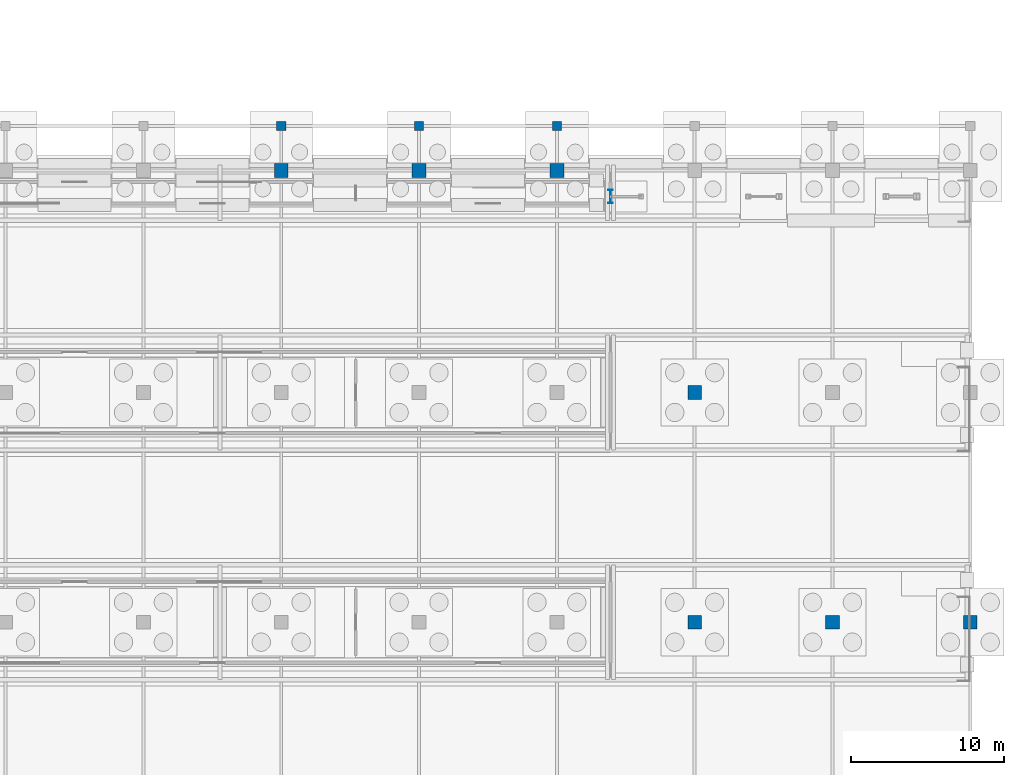
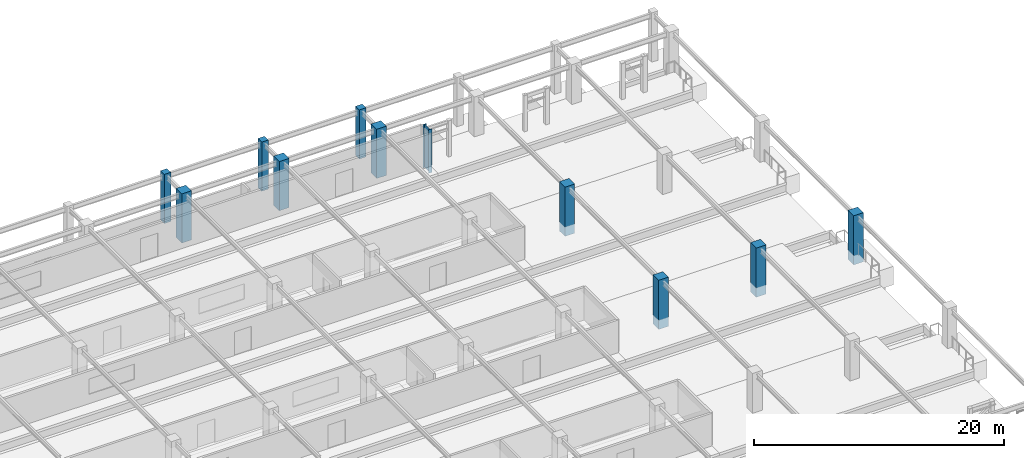
# One storey, part 35 of 160: 11 columns.
"""IFC4 building model written with IfcOpenShell, lengths in metres."""

from ifc_helpers import new_model, si_unit, direction, frame, origin, origin_2d, place, context, subcontext, project, spatial, rectangle, i_section, extrude, material, material_profile, profile_set, type_object, element, save


model = new_model("IFC4")

# Units and contexts
model_context = context("Model", 3, precision=1e-05, world=origin(), true_north=direction((0.0, 1.0)))
body_context = subcontext(model_context, "Body", "Model", "MODEL_VIEW")
ifc_project = project(units=[si_unit("LENGTHUNIT", "METRE"), si_unit("AREAUNIT", "SQUARE_METRE"), si_unit("VOLUMEUNIT", "CUBIC_METRE"), si_unit("PLANEANGLEUNIT", "RADIAN"), si_unit("MASSUNIT", "GRAM", prefix="KILO")], contexts=[model_context])

# Site, building, storey
site_placement = place(None, origin())
site = spatial("IfcSite", under=ifc_project, at=site_placement, CompositionType="ELEMENT")
building_placement = place(site_placement, origin())
building = spatial("IfcBuilding", under=site, at=building_placement, Name="Marlcrest Central Station", CompositionType="ELEMENT")
storey_placement = place(building_placement, origin())
storey = spatial("IfcBuildingStorey", under=building, at=storey_placement, Name="L00", CompositionType="ELEMENT", Elevation=0.0)

# Columns
ifc_material_1 = material(Name="Concrete C50/60", Category="concrete")
ifc_material_profile_1 = material_profile(ifc_material_1, rectangle(XDim=0.60009765625, YDim=0.60009765625, at=origin_2d()), Name="RC 600x600")
ifc_profile_set_1 = profile_set([ifc_material_profile_1], Name="Concrete C50/60")
column_type_1 = type_object("IfcColumnType", Name="RC-04", PredefinedType="COLUMN", material=ifc_profile_set_1)
for number, where, z_axis, x_axis, name in (
    (1, (171.0, 98.39990234375, 0.0), (0.0, 0.0, 1.0), (1.0, 0.0, 0.0), "col-RC-04-L00-0555"),
    (2, (180.0, 98.39990234375, 0.0), (0.0, 0.0, 1.0), (1.0, 0.0, 0.0), "col-RC-04-L00-0566"),
    (3, (189.0, 98.39990234375, 0.0), (0.0, 0.0, 1.0), (1.0, 0.0, 0.0), "col-RC-04-L00-0577"),
):
    element("IfcColumn", number, at=place(storey_placement, frame(where, z_axis=z_axis, x_axis=x_axis)), inside=storey, type_object=column_type_1, Name=name, PredefinedType="COLUMN", context=body_context, shape_type="SweptSolid", body=[
        extrude(rectangle(XDim=0.60009765625, YDim=0.60009765625, at=origin_2d()), origin(), (0.0, 0.0, 1.0), 4.800048828125),
    ])
ifc_material_profile_2 = material_profile(ifc_material_1, rectangle(XDim=0.89990234375, YDim=0.89990234375, at=origin_2d()), Name="RC 900x900")
ifc_profile_set_2 = profile_set([ifc_material_profile_2], Name="Concrete C50/60")
column_type_2 = type_object("IfcColumnType", Name="RC-08", PredefinedType="COLUMN", material=ifc_profile_set_2)
for number, where, z_axis, x_axis, name in (
    (4, (171.0, 95.5, 0.0), (0.0, 0.0, 1.0), (1.0, 0.0, 0.0), "col-RC-08-L00-0553"),
    (5, (180.0, 95.5, 0.0), (0.0, 0.0, 1.0), (1.0, 0.0, 0.0), "col-RC-08-L00-0564"),
    (6, (189.0, 95.5, 0.0), (0.0, 0.0, 1.0), (1.0, 0.0, 0.0), "col-RC-08-L00-0575"),
    (7, (198.0, 66.0, 0.0), (0.0, 0.0, 1.0), (1.0, 0.0, 0.0), "col-RC-08-L00-0582"),
    (8, (198.0, 81.0, 0.0), (0.0, 0.0, 1.0), (1.0, 0.0, 0.0), "col-RC-08-L00-0584"),
    (9, (207.0, 66.0, 0.0), (0.0, 0.0, 1.0), (1.0, 0.0, 0.0), "col-RC-08-L00-0593"),
    (10, (216.0, 66.0, 0.0), (0.0, 0.0, 1.0), (1.0, 0.0, 0.0), "col-RC-08-L00-0604"),
):
    element("IfcColumn", number, at=place(storey_placement, frame(where, z_axis=z_axis, x_axis=x_axis)), inside=storey, type_object=column_type_2, Name=name, PredefinedType="COLUMN", context=body_context, shape_type="SweptSolid", body=[
        extrude(rectangle(XDim=0.89990234375, YDim=0.89990234375, at=origin_2d()), origin(), (0.0, 0.0, 1.0), 4.800048828125),
    ])
ifc_material_2 = material(Name="Steel S355", Category="steel")
ifc_material_profile_3 = material_profile(ifc_material_2, i_section(OverallWidth=0.300048828125, OverallDepth=0.889892578125, WebThickness=0.01611328125, FlangeThickness=0.030029296875, FilletRadius=0.030029296875, at=origin_2d()), Name="HEA 900")
ifc_profile_set_3 = profile_set([ifc_material_profile_3], Name="Steel S355")
column_type_3 = type_object("IfcColumnType", Name="SC-18", PredefinedType="COLUMN", material=ifc_profile_set_3)
column_placement = place(storey_placement, frame((192.5, 93.800048828125, 0.199951171875), z_axis=(0.0, 0.0, 1.0), x_axis=(1.0, 0.0, 0.0)))
element("IfcColumn", 11, at=column_placement, inside=storey, type_object=column_type_3, Name="col-SC-18-L00-0927", PredefinedType="COLUMN", context=body_context, shape_type="SweptSolid", body=[
    extrude(i_section(OverallWidth=0.300048828125, OverallDepth=0.889892578125, WebThickness=0.01611328125, FlangeThickness=0.030029296875, FilletRadius=0.030029296875, at=origin_2d()), origin(), (0.0, 0.0, 1.0), 4.25),
])

save(model, "model.ifc")
